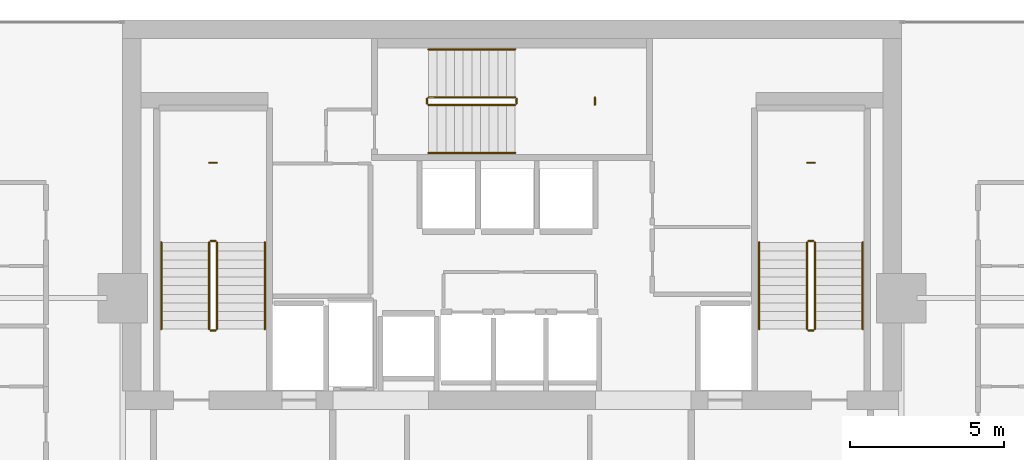
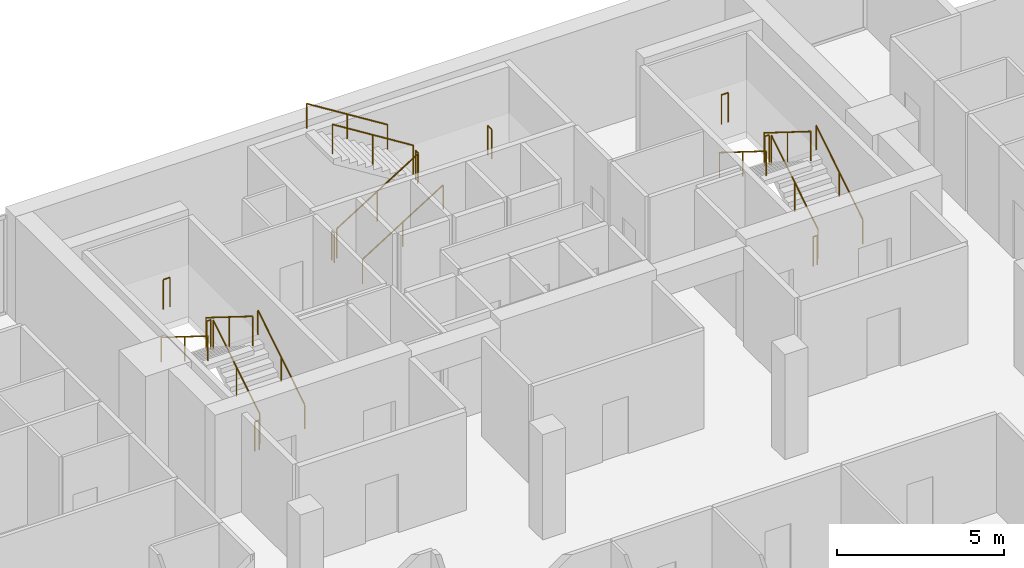
# One storey, part 26 of 26: 21 railings.
"""IFC4 building model written with IfcOpenShell, lengths in metres."""

from ifc_helpers import new_model, si_unit, direction, frame, origin, origin_2d, place, context, subcontext, project, spatial, circle, extrude, material, type_object, element, save


model = new_model("IFC4")

# Units and contexts
model_context = context("Model", 3, precision=1e-05, world=origin(), true_north=direction((0.0, 1.0)))
body_context = subcontext(model_context, "Body", "Model", "MODEL_VIEW")
ifc_project = project(units=[si_unit("LENGTHUNIT", "METRE"), si_unit("AREAUNIT", "SQUARE_METRE"), si_unit("VOLUMEUNIT", "CUBIC_METRE"), si_unit("PLANEANGLEUNIT", "RADIAN"), si_unit("MASSUNIT", "GRAM", prefix="KILO")], contexts=[model_context])

# Site, building, storey
site_placement = place(None, origin())
site = spatial("IfcSite", under=ifc_project, at=site_placement, CompositionType="ELEMENT")
building_placement = place(site_placement, origin())
building = spatial("IfcBuilding", under=site, at=building_placement, Name="Maruvema Waterfront Hotel and Observation Tower", CompositionType="ELEMENT")
storey_placement = place(building_placement, frame((0.0, 0.0, 293.300048828125)))
storey = spatial("IfcBuildingStorey", under=building, at=storey_placement, Name="L72", CompositionType="ELEMENT", Elevation=293.300048828125)

# Railings
ifc_material_1 = material(Name="Brushed stainless steel Grade 316", Category="steel")
railing_type_1 = type_object("IfcRailingType", Name="Ramp Continuous Wall Handrail 920 mm", PredefinedType="HANDRAIL", material=ifc_material_1)
railing_1_placement = place(storey_placement, frame((29.800048828125, 44.0, 0.175048828125)))
element("IfcRailing", 1, at=railing_1_placement, inside=storey, type_object=railing_type_1, Name="L72 ST-01 stair handrail 1", PredefinedType="HANDRAIL", context=body_context, shape_type="SweptSolid", body=[
    extrude(circle(Radius=0.02392578125, at=origin_2d()), frame((0.0, 0.0, 0.89599609375), z_axis=(0.0, 0.848002457836, 0.529992293815), x_axis=(-1.0, 0.0, 0.0)), (0.0, 0.0, 1.0), 3.302001953125),
    extrude(circle(Radius=0.02099609375, at=origin_2d()), origin(), (0.0, 0.0, 1.0), 0.871826171875),
    extrude(circle(Radius=0.02099609375, at=origin_2d()), frame((0.0, 1.39990234375, 0.875)), (0.0, 0.0, 1.0), 0.871826171875),
    extrude(circle(Radius=0.02099609375, at=origin_2d()), frame((0.0, 2.800048828125, 1.75)), (0.0, 0.0, 1.0), 0.871826171875),
])
railing_2_placement = place(storey_placement, frame((26.449951171875, 46.800048828125, 2.099853515625)))
element("IfcRailing", 2, at=railing_2_placement, inside=storey, type_object=railing_type_1, Name="L72 ST-01 stair handrail 2", PredefinedType="HANDRAIL", context=body_context, shape_type="SweptSolid", body=[
    extrude(circle(Radius=0.02392578125, at=origin_2d()), frame((0.0, 0.0, 0.89599609375), z_axis=(0.0, -0.848002457836, 0.529992293815), x_axis=(1.0, 0.0, 0.0)), (0.0, 0.0, 1.0), 3.302001953125),
    extrude(circle(Radius=0.02099609375, at=origin_2d()), origin(), (0.0, 0.0, 1.0), 0.871826171875),
    extrude(circle(Radius=0.02099609375, at=origin_2d()), frame((0.0, -1.39990234375, 0.875)), (0.0, 0.0, 1.0), 0.871826171875),
    extrude(circle(Radius=0.02099609375, at=origin_2d()), frame((0.0, -2.800048828125, 1.75)), (0.0, 0.0, 1.0), 0.871826171875),
])
railing_3_placement = place(storey_placement, frame((35.10009765625, 49.699951171875, 0.175048828125)))
element("IfcRailing", 3, at=railing_3_placement, inside=storey, type_object=railing_type_1, Name="L72 ST-02 stair handrail 1", PredefinedType="HANDRAIL", context=body_context, shape_type="SweptSolid", body=[
    extrude(circle(Radius=0.02392578125, at=origin_2d()), frame((0.0, 0.0, 0.89599609375), z_axis=(0.847981687118, 0.0, 0.530025526095), x_axis=(0.0, 1.0, 0.0)), (0.0, 0.0, 1.0), 3.3017578125),
    extrude(circle(Radius=0.02099609375, at=origin_2d()), origin(), (0.0, 0.0, 1.0), 0.871826171875),
    extrude(circle(Radius=0.02099609375, at=origin_2d()), frame((1.39990234375, 0.0, 0.875)), (0.0, 0.0, 1.0), 0.871826171875),
    extrude(circle(Radius=0.02099609375, at=origin_2d()), frame((2.7998046875, 0.0, 1.75)), (0.0, 0.0, 1.0), 0.871826171875),
])
railing_4_placement = place(storey_placement, frame((37.89990234375, 53.050048828125, 2.099853515625)))
element("IfcRailing", 4, at=railing_4_placement, inside=storey, type_object=railing_type_1, Name="L72 ST-02 stair handrail 2", PredefinedType="HANDRAIL", context=body_context, shape_type="SweptSolid", body=[
    extrude(circle(Radius=0.02392578125, at=origin_2d()), frame((0.0, 0.0, 0.89599609375), z_axis=(-0.847981687118, 0.0, 0.530025526095), x_axis=(0.0, -1.0, 0.0)), (0.0, 0.0, 1.0), 3.3017578125),
    extrude(circle(Radius=0.02099609375, at=origin_2d()), origin(), (0.0, 0.0, 1.0), 0.871826171875),
    extrude(circle(Radius=0.02099609375, at=origin_2d()), frame((-1.39990234375, 0.0, 0.875)), (0.0, 0.0, 1.0), 0.871826171875),
    extrude(circle(Radius=0.02099609375, at=origin_2d()), frame((-2.7998046875, 0.0, 1.75)), (0.0, 0.0, 1.0), 0.871826171875),
])
railing_5_placement = place(storey_placement, frame((49.14990234375, 44.0, 0.175048828125)))
element("IfcRailing", 5, at=railing_5_placement, inside=storey, type_object=railing_type_1, Name="L72 ST-03 stair handrail 1", PredefinedType="HANDRAIL", context=body_context, shape_type="SweptSolid", body=[
    extrude(circle(Radius=0.02392578125, at=origin_2d()), frame((0.0, 0.0, 0.89599609375), z_axis=(0.0, 0.848002457836, 0.529992293815), x_axis=(-1.0, 0.0, 0.0)), (0.0, 0.0, 1.0), 3.302001953125),
    extrude(circle(Radius=0.02099609375, at=origin_2d()), origin(), (0.0, 0.0, 1.0), 0.871826171875),
    extrude(circle(Radius=0.02099609375, at=origin_2d()), frame((0.0, 1.39990234375, 0.875)), (0.0, 0.0, 1.0), 0.871826171875),
    extrude(circle(Radius=0.02099609375, at=origin_2d()), frame((0.0, 2.800048828125, 1.75)), (0.0, 0.0, 1.0), 0.871826171875),
])
railing_6_placement = place(storey_placement, frame((45.800048828125, 46.800048828125, 2.099853515625)))
element("IfcRailing", 6, at=railing_6_placement, inside=storey, type_object=railing_type_1, Name="L72 ST-03 stair handrail 2", PredefinedType="HANDRAIL", context=body_context, shape_type="SweptSolid", body=[
    extrude(circle(Radius=0.02392578125, at=origin_2d()), frame((0.0, 0.0, 0.89599609375), z_axis=(0.0, -0.848002457836, 0.529992293815), x_axis=(1.0, 0.0, 0.0)), (0.0, 0.0, 1.0), 3.302001953125),
    extrude(circle(Radius=0.02099609375, at=origin_2d()), origin(), (0.0, 0.0, 1.0), 0.871826171875),
    extrude(circle(Radius=0.02099609375, at=origin_2d()), frame((0.0, -1.39990234375, 0.875)), (0.0, 0.0, 1.0), 0.871826171875),
    extrude(circle(Radius=0.02099609375, at=origin_2d()), frame((0.0, -2.800048828125, 1.75)), (0.0, 0.0, 1.0), 0.871826171875),
])
ifc_material_2 = material(Name="Brushed stainless steel Grade 316", Category="steel")
railing_type_2 = type_object("IfcRailingType", Name="Ramp and Terrace Guard Balustrade 1100 mm", PredefinedType="BALUSTRADE", material=ifc_material_2)
railing_7_placement = place(storey_placement, frame((28.25, 44.0, 0.175048828125)))
element("IfcRailing", 7, at=railing_7_placement, inside=storey, type_object=railing_type_2, Name="L72 ST-01 stair guard 1", PredefinedType="BALUSTRADE", context=body_context, shape_type="SweptSolid", body=[
    extrude(circle(Radius=0.02392578125, at=origin_2d()), frame((0.0, 0.0, 1.076171875), z_axis=(0.0, 0.848002457836, 0.529992293815), x_axis=(-1.0, 0.0, 0.0)), (0.0, 0.0, 1.0), 3.302001953125),
    extrude(circle(Radius=0.02099609375, at=origin_2d()), origin(), (0.0, 0.0, 1.0), 1.052001953125),
    extrude(circle(Radius=0.02099609375, at=origin_2d()), frame((0.0, 1.39990234375, 0.875)), (0.0, 0.0, 1.0), 1.052001953125),
    extrude(circle(Radius=0.02099609375, at=origin_2d()), frame((0.0, 2.800048828125, 1.75)), (0.0, 0.0, 1.0), 1.052001953125),
])
railing_8_placement = place(storey_placement, frame((28.199951171875, 46.85009765625, 1.925048828125)))
element("IfcRailing", 8, at=railing_8_placement, inside=storey, type_object=railing_type_2, Name="L72 ST-01 stair guard 2", PredefinedType="BALUSTRADE", context=body_context, shape_type="SweptSolid", body=[
    extrude(circle(Radius=0.02392578125, at=origin_2d()), frame((0.0, 0.0, 1.076171875), z_axis=(-1.0, 0.0, 0.0), x_axis=(0.0, -1.0, 0.0)), (0.0, 0.0, 1.0), 0.14990234375),
    extrude(circle(Radius=0.02099609375, at=origin_2d()), origin(), (0.0, 0.0, 1.0), 1.052001953125),
    extrude(circle(Radius=0.02099609375, at=origin_2d()), frame((-0.14990234375, 0.0, 0.0)), (0.0, 0.0, 1.0), 1.052001953125),
])
railing_9_placement = place(storey_placement, frame((28.0, 46.800048828125, 2.099853515625)))
element("IfcRailing", 9, at=railing_9_placement, inside=storey, type_object=railing_type_2, Name="L72 ST-01 stair guard 3", PredefinedType="BALUSTRADE", context=body_context, shape_type="SweptSolid", body=[
    extrude(circle(Radius=0.02392578125, at=origin_2d()), frame((0.0, 0.0, 1.076171875), z_axis=(0.0, -0.848002457836, 0.529992293815), x_axis=(1.0, 0.0, 0.0)), (0.0, 0.0, 1.0), 3.302001953125),
    extrude(circle(Radius=0.02099609375, at=origin_2d()), origin(), (0.0, 0.0, 1.0), 1.052001953125),
    extrude(circle(Radius=0.02099609375, at=origin_2d()), frame((0.0, -1.39990234375, 0.875)), (0.0, 0.0, 1.0), 1.052001953125),
    extrude(circle(Radius=0.02099609375, at=origin_2d()), frame((0.0, -2.800048828125, 1.75)), (0.0, 0.0, 1.0), 1.052001953125),
])
railing_10_placement = place(storey_placement, frame((28.199951171875, 43.949951171875, 0.0)))
element("IfcRailing", 10, at=railing_10_placement, inside=storey, type_object=railing_type_2, Name="L72 ST-01 stair guard 4", PredefinedType="BALUSTRADE", context=body_context, shape_type="SweptSolid", body=[
    extrude(circle(Radius=0.02392578125, at=origin_2d()), frame((0.0, 0.0, 1.076171875), z_axis=(-1.0, 0.0, 0.0), x_axis=(0.0, -1.0, 0.0)), (0.0, 0.0, 1.0), 0.14990234375),
    extrude(circle(Radius=0.02099609375, at=origin_2d()), origin(), (0.0, 0.0, 1.0), 1.052001953125),
    extrude(circle(Radius=0.02099609375, at=origin_2d()), frame((-0.14990234375, 0.0, 0.0)), (0.0, 0.0, 1.0), 1.052001953125),
])
railing_11_placement = place(storey_placement, frame((28.239990234375, 49.3798828125, 1.925048828125)))
element("IfcRailing", 11, at=railing_11_placement, inside=storey, type_object=railing_type_2, Name="L72 ST-01 Half-Landing Slot Guard", PredefinedType="BALUSTRADE", context=body_context, shape_type="SweptSolid", body=[
    extrude(circle(Radius=0.02392578125, at=origin_2d()), frame((0.0, 0.0, 1.076171875), z_axis=(-1.0, 0.0, 0.0), x_axis=(0.0, -1.0, 0.0)), (0.0, 0.0, 1.0), 0.22998046875),
    extrude(circle(Radius=0.02099609375, at=origin_2d()), origin(), (0.0, 0.0, 1.0), 1.052001953125),
    extrude(circle(Radius=0.02099609375, at=origin_2d()), frame((-0.22998046875, 0.0, 0.0)), (0.0, 0.0, 1.0), 1.052001953125),
])
railing_12_placement = place(storey_placement, frame((35.10009765625, 51.25, 0.175048828125)))
element("IfcRailing", 12, at=railing_12_placement, inside=storey, type_object=railing_type_2, Name="L72 ST-02 stair guard 1", PredefinedType="BALUSTRADE", context=body_context, shape_type="SweptSolid", body=[
    extrude(circle(Radius=0.02392578125, at=origin_2d()), frame((0.0, 0.0, 1.076171875), z_axis=(0.847981687118, 0.0, 0.530025526095), x_axis=(0.0, 1.0, 0.0)), (0.0, 0.0, 1.0), 3.3017578125),
    extrude(circle(Radius=0.02099609375, at=origin_2d()), origin(), (0.0, 0.0, 1.0), 1.052001953125),
    extrude(circle(Radius=0.02099609375, at=origin_2d()), frame((1.39990234375, 0.0, 0.875)), (0.0, 0.0, 1.0), 1.052001953125),
    extrude(circle(Radius=0.02099609375, at=origin_2d()), frame((2.7998046875, 0.0, 1.75)), (0.0, 0.0, 1.0), 1.052001953125),
])
railing_13_placement = place(storey_placement, frame((37.949951171875, 51.300048828125, 1.925048828125)))
element("IfcRailing", 13, at=railing_13_placement, inside=storey, type_object=railing_type_2, Name="L72 ST-02 stair guard 2", PredefinedType="BALUSTRADE", context=body_context, shape_type="SweptSolid", body=[
    extrude(circle(Radius=0.02392578125, at=origin_2d()), frame((0.0, 0.0, 1.076171875), z_axis=(0.0, 1.0, 0.0), x_axis=(-1.0, 0.0, 0.0)), (0.0, 0.0, 1.0), 0.14990234375),
    extrude(circle(Radius=0.02099609375, at=origin_2d()), origin(), (0.0, 0.0, 1.0), 1.052001953125),
    extrude(circle(Radius=0.02099609375, at=origin_2d()), frame((0.0, 0.14990234375, 0.0)), (0.0, 0.0, 1.0), 1.052001953125),
])
railing_14_placement = place(storey_placement, frame((37.89990234375, 51.5, 2.099853515625)))
element("IfcRailing", 14, at=railing_14_placement, inside=storey, type_object=railing_type_2, Name="L72 ST-02 stair guard 3", PredefinedType="BALUSTRADE", context=body_context, shape_type="SweptSolid", body=[
    extrude(circle(Radius=0.02392578125, at=origin_2d()), frame((0.0, 0.0, 1.076171875), z_axis=(-0.847981687118, 0.0, 0.530025526095), x_axis=(0.0, -1.0, 0.0)), (0.0, 0.0, 1.0), 3.3017578125),
    extrude(circle(Radius=0.02099609375, at=origin_2d()), origin(), (0.0, 0.0, 1.0), 1.052001953125),
    extrude(circle(Radius=0.02099609375, at=origin_2d()), frame((-1.39990234375, 0.0, 0.875)), (0.0, 0.0, 1.0), 1.052001953125),
    extrude(circle(Radius=0.02099609375, at=origin_2d()), frame((-2.7998046875, 0.0, 1.75)), (0.0, 0.0, 1.0), 1.052001953125),
])
railing_15_placement = place(storey_placement, frame((35.050048828125, 51.300048828125, 0.0)))
element("IfcRailing", 15, at=railing_15_placement, inside=storey, type_object=railing_type_2, Name="L72 ST-02 stair guard 4", PredefinedType="BALUSTRADE", context=body_context, shape_type="SweptSolid", body=[
    extrude(circle(Radius=0.02392578125, at=origin_2d()), frame((0.0, 0.0, 1.076171875), z_axis=(0.0, 1.0, 0.0), x_axis=(-1.0, 0.0, 0.0)), (0.0, 0.0, 1.0), 0.14990234375),
    extrude(circle(Radius=0.02099609375, at=origin_2d()), origin(), (0.0, 0.0, 1.0), 1.052001953125),
    extrude(circle(Radius=0.02099609375, at=origin_2d()), frame((0.0, 0.14990234375, 0.0)), (0.0, 0.0, 1.0), 1.052001953125),
])
railing_16_placement = place(storey_placement, frame((40.47998046875, 51.260009765625, 1.925048828125)))
element("IfcRailing", 16, at=railing_16_placement, inside=storey, type_object=railing_type_2, Name="L72 ST-02 Half-Landing Slot Guard", PredefinedType="BALUSTRADE", context=body_context, shape_type="SweptSolid", body=[
    extrude(circle(Radius=0.02392578125, at=origin_2d()), frame((0.0, 0.0, 1.076171875), z_axis=(0.0, 1.0, 0.0), x_axis=(-1.0, 0.0, 0.0)), (0.0, 0.0, 1.0), 0.22998046875),
    extrude(circle(Radius=0.02099609375, at=origin_2d()), origin(), (0.0, 0.0, 1.0), 1.052001953125),
    extrude(circle(Radius=0.02099609375, at=origin_2d()), frame((0.0, 0.22998046875, 0.0)), (0.0, 0.0, 1.0), 1.052001953125),
])
railing_17_placement = place(storey_placement, frame((47.60009765625, 44.0, 0.175048828125)))
element("IfcRailing", 17, at=railing_17_placement, inside=storey, type_object=railing_type_2, Name="L72 ST-03 stair guard 1", PredefinedType="BALUSTRADE", context=body_context, shape_type="SweptSolid", body=[
    extrude(circle(Radius=0.02392578125, at=origin_2d()), frame((0.0, 0.0, 1.076171875), z_axis=(0.0, 0.848002457836, 0.529992293815), x_axis=(-1.0, 0.0, 0.0)), (0.0, 0.0, 1.0), 3.302001953125),
    extrude(circle(Radius=0.02099609375, at=origin_2d()), origin(), (0.0, 0.0, 1.0), 1.052001953125),
    extrude(circle(Radius=0.02099609375, at=origin_2d()), frame((0.0, 1.39990234375, 0.875)), (0.0, 0.0, 1.0), 1.052001953125),
    extrude(circle(Radius=0.02099609375, at=origin_2d()), frame((0.0, 2.800048828125, 1.75)), (0.0, 0.0, 1.0), 1.052001953125),
])
railing_18_placement = place(storey_placement, frame((47.550048828125, 46.85009765625, 1.925048828125)))
element("IfcRailing", 18, at=railing_18_placement, inside=storey, type_object=railing_type_2, Name="L72 ST-03 stair guard 2", PredefinedType="BALUSTRADE", context=body_context, shape_type="SweptSolid", body=[
    extrude(circle(Radius=0.02392578125, at=origin_2d()), frame((0.0, 0.0, 1.076171875), z_axis=(-1.0, 0.0, 0.0), x_axis=(0.0, -1.0, 0.0)), (0.0, 0.0, 1.0), 0.150146484375),
    extrude(circle(Radius=0.02099609375, at=origin_2d()), origin(), (0.0, 0.0, 1.0), 1.052001953125),
    extrude(circle(Radius=0.02099609375, at=origin_2d()), frame((-0.150146484375, 0.0, 0.0)), (0.0, 0.0, 1.0), 1.052001953125),
])
railing_19_placement = place(storey_placement, frame((47.35009765625, 46.800048828125, 2.099853515625)))
element("IfcRailing", 19, at=railing_19_placement, inside=storey, type_object=railing_type_2, Name="L72 ST-03 stair guard 3", PredefinedType="BALUSTRADE", context=body_context, shape_type="SweptSolid", body=[
    extrude(circle(Radius=0.02392578125, at=origin_2d()), frame((0.0, 0.0, 1.076171875), z_axis=(0.0, -0.848002457836, 0.529992293815), x_axis=(1.0, 0.0, 0.0)), (0.0, 0.0, 1.0), 3.302001953125),
    extrude(circle(Radius=0.02099609375, at=origin_2d()), origin(), (0.0, 0.0, 1.0), 1.052001953125),
    extrude(circle(Radius=0.02099609375, at=origin_2d()), frame((0.0, -1.39990234375, 0.875)), (0.0, 0.0, 1.0), 1.052001953125),
    extrude(circle(Radius=0.02099609375, at=origin_2d()), frame((0.0, -2.800048828125, 1.75)), (0.0, 0.0, 1.0), 1.052001953125),
])
railing_20_placement = place(storey_placement, frame((47.550048828125, 43.949951171875, 0.0)))
element("IfcRailing", 20, at=railing_20_placement, inside=storey, type_object=railing_type_2, Name="L72 ST-03 stair guard 4", PredefinedType="BALUSTRADE", context=body_context, shape_type="SweptSolid", body=[
    extrude(circle(Radius=0.02392578125, at=origin_2d()), frame((0.0, 0.0, 1.076171875), z_axis=(-1.0, 0.0, 0.0), x_axis=(0.0, -1.0, 0.0)), (0.0, 0.0, 1.0), 0.150146484375),
    extrude(circle(Radius=0.02099609375, at=origin_2d()), origin(), (0.0, 0.0, 1.0), 1.052001953125),
    extrude(circle(Radius=0.02099609375, at=origin_2d()), frame((-0.150146484375, 0.0, 0.0)), (0.0, 0.0, 1.0), 1.052001953125),
])
railing_21_placement = place(storey_placement, frame((47.590087890625, 49.3798828125, 1.925048828125)))
element("IfcRailing", 21, at=railing_21_placement, inside=storey, type_object=railing_type_2, Name="L72 ST-03 Half-Landing Slot Guard", PredefinedType="BALUSTRADE", context=body_context, shape_type="SweptSolid", body=[
    extrude(circle(Radius=0.02392578125, at=origin_2d()), frame((0.0, 0.0, 1.076171875), z_axis=(-1.0, 0.0, 0.0), x_axis=(0.0, -1.0, 0.0)), (0.0, 0.0, 1.0), 0.22998046875),
    extrude(circle(Radius=0.02099609375, at=origin_2d()), origin(), (0.0, 0.0, 1.0), 1.052001953125),
    extrude(circle(Radius=0.02099609375, at=origin_2d()), frame((-0.22998046875, 0.0, 0.0)), (0.0, 0.0, 1.0), 1.052001953125),
])

save(model, "model.ifc")
